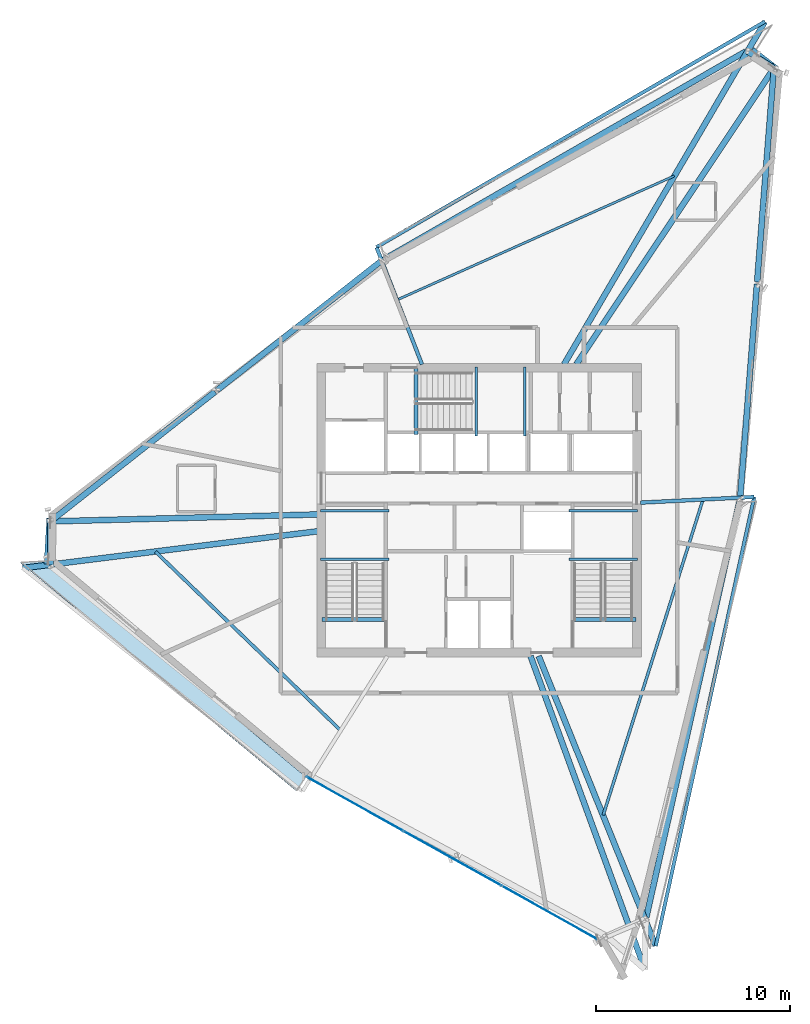
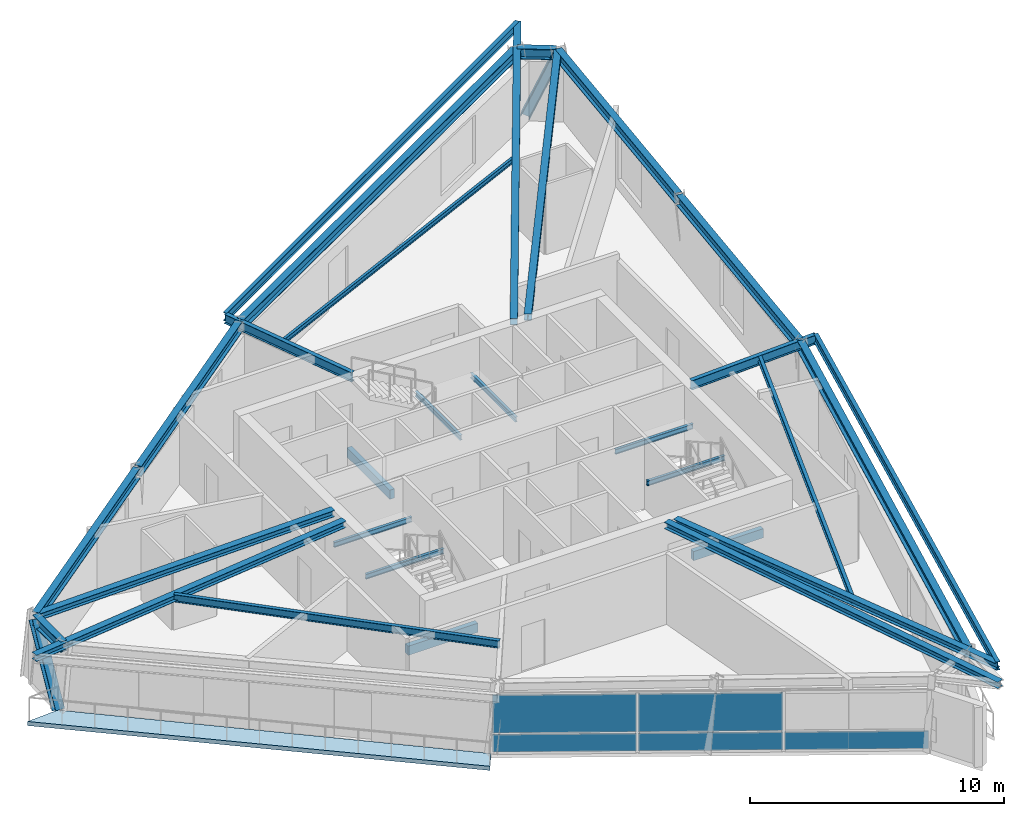
# One storey, part 4 of 13: 30 beams, 5 plates, 2 members, 1 slab, 1 element without a shape of its own.
"""IFC4 building model written with IfcOpenShell, lengths in metres."""

from ifc_helpers import new_model, si_unit, direction, frame, origin, origin_2d, place, context, subcontext, project, spatial, polyline, rectangle, i_section, outline, extrude, source, transform, mapped, material, layer, layer_set, material_profile, profile_set, type_object, element, aggregate, save


model = new_model("IFC4")

# Units and contexts
model_context = context("Model", 3, precision=1e-05, world=origin(), true_north=direction((0.0, 1.0)))
body_context = subcontext(model_context, "Body", "Model", "MODEL_VIEW")
ifc_project = project(units=[si_unit("LENGTHUNIT", "METRE"), si_unit("AREAUNIT", "SQUARE_METRE"), si_unit("VOLUMEUNIT", "CUBIC_METRE"), si_unit("PLANEANGLEUNIT", "RADIAN"), si_unit("MASSUNIT", "GRAM", prefix="KILO")], contexts=[model_context])

# Site, building, storey
site_placement = place(None, origin())
site = spatial("IfcSite", under=ifc_project, at=site_placement, CompositionType="ELEMENT")
building_placement = place(site_placement, origin())
building = spatial("IfcBuilding", under=site, at=building_placement, Name="Olszyna Solenne Hotel", CompositionType="ELEMENT")
storey_placement = place(building_placement, frame((0.0, 0.0, 266.89990234375)))
storey = spatial("IfcBuildingStorey", under=building, at=storey_placement, Name="L71", CompositionType="ELEMENT", Elevation=266.89990234375)

# Beams
ifc_material_1 = material(Name="Steel S355J2", Category="steel")
ifc_material_profile_1 = material_profile(ifc_material_1, i_section(OverallWidth=0.300048828125, OverallDepth=0.5, WebThickness=0.014404296875, FlangeThickness=0.028076171875, at=origin_2d()), Name="HEB 500", Category="load-bearing")
ifc_profile_set_1 = profile_set([ifc_material_profile_1], Name="Steel S355J2")
beam_type_1 = type_object("IfcBeamType", Name="BM-S3", PredefinedType="BEAM", material=ifc_profile_set_1)
shared_shape_1 = source(origin(), body_context, "Body", "SweptSolid", [
    extrude(i_section(OverallWidth=0.300048828125, OverallDepth=0.5, WebThickness=0.014404296875, FlangeThickness=0.028076171875, at=origin_2d()), origin(), (0.0, 0.0, 1.0), 1.537109375),
])
beam_1_placement = place(storey_placement, frame((53.11962890625, 49.382080078125, 3.130126953125), z_axis=(-0.845715263121, 0.533634419547, 0.0), x_axis=(-0.533634419547, -0.845715263121, 0.0)))
element("IfcBeam", 1, at=beam_1_placement, inside=storey, type_object=beam_type_1, Name="Perimeter spandrel beam BM-S3 B-L71-2082", PredefinedType="BEAM", context=body_context, shape_type="MappedRepresentation", body=[
    mapped(shared_shape_1, transform((0.0, 0.0, 0.0), x_axis=(1.0, 0.0, 0.0), y_axis=(0.0, 1.0, 0.0), z_axis=(0.0, 0.0, 1.0), scale=1.0)),
])
shared_shape_2 = source(origin(), body_context, "Body", "SweptSolid", [
    extrude(i_section(OverallWidth=0.300048828125, OverallDepth=0.5, WebThickness=0.014404296875, FlangeThickness=0.028076171875, at=origin_2d()), origin(), (0.0, 0.0, 1.0), 21.5546875),
])
beam_2_placement = place(storey_placement, frame((51.716796875, 50.204345703125, 3.130126953125), z_axis=(-0.866971025948, -0.498358545794, 0.0), x_axis=(0.498358545794, -0.866971025948, 0.0)))
element("IfcBeam", 2, at=beam_2_placement, inside=storey, type_object=beam_type_1, Name="Perimeter spandrel beam BM-S3 B-L71-2083", PredefinedType="BEAM", context=body_context, shape_type="MappedRepresentation", body=[
    mapped(shared_shape_2, transform((0.0, 0.0, 0.0), x_axis=(1.0, 0.0, 0.0), y_axis=(0.0, 1.0, 0.0), z_axis=(0.0, 0.0, 1.0), scale=1.0)),
])
shared_shape_3 = source(origin(), body_context, "Body", "SweptSolid", [
    extrude(i_section(OverallWidth=0.300048828125, OverallDepth=0.5, WebThickness=0.014404296875, FlangeThickness=0.028076171875, at=origin_2d()), origin(), (0.0, 0.0, 1.0), 10.71728515625),
])
for number, where, z_axis, x_axis, name in (
    (3, (32.930419921875, 39.3955078125, 3.130126953125), (-0.785690290892, -0.618620050434, 0.0), (0.618620050434, -0.785690290892, 0.0), "Perimeter spandrel beam BM-S3 B-L71-2084"),
    (4, (24.415771484375, 32.69140625, 3.130126953125), (-0.785679218731, -0.618634112586, 0.0), (0.618634112586, -0.785679218731, 0.0), "Perimeter spandrel beam BM-S3 B-L71-2085"),
):
    element("IfcBeam", number, at=place(storey_placement, frame(where, z_axis=z_axis, x_axis=x_axis)), inside=storey, type_object=beam_type_1, Name=name, PredefinedType="BEAM", context=body_context, shape_type="MappedRepresentation", body=[
        mapped(shared_shape_3, transform((0.0, 0.0, 0.0), x_axis=(1.0, 0.0, 0.0), y_axis=(0.0, 1.0, 0.0), z_axis=(0.0, 0.0, 1.0), scale=1.0)),
    ])
shared_shape_4 = source(origin(), body_context, "Body", "SweptSolid", [
    extrude(i_section(OverallWidth=0.300048828125, OverallDepth=0.5, WebThickness=0.014404296875, FlangeThickness=0.028076171875, at=origin_2d()), origin(), (0.0, 0.0, 1.0), 2.177001953125),
])
beam_3_placement = place(storey_placement, frame((15.948486328125, 25.96435546875, 3.130126953125), z_axis=(0.003476484543, -0.999993957009, 0.0), x_axis=(0.999993957009, 0.003476484543, 0.0)))
element("IfcBeam", 5, at=beam_3_placement, inside=storey, type_object=beam_type_1, Name="Perimeter spandrel beam BM-S3 B-L71-2086", PredefinedType="BEAM", context=body_context, shape_type="MappedRepresentation", body=[
    mapped(shared_shape_4, transform((0.0, 0.0, 0.0), x_axis=(1.0, 0.0, 0.0), y_axis=(0.0, 1.0, 0.0), z_axis=(0.0, 0.0, 1.0), scale=1.0)),
])
shared_shape_5 = source(origin(), body_context, "Body", "SweptSolid", [
    extrude(i_section(OverallWidth=0.300048828125, OverallDepth=0.5, WebThickness=0.014404296875, FlangeThickness=0.028076171875, at=origin_2d()), origin(), (0.0, 0.0, 1.0), 22.066650390625),
])
beam_4_placement = place(storey_placement, frame((46.6025390625, 5.638916015625, 3.130126953125), z_axis=(0.21843318942, 0.975851905649, 0.0), x_axis=(-0.975851905649, 0.21843318942, 0.0)))
element("IfcBeam", 6, at=beam_4_placement, inside=storey, type_object=beam_type_1, Name="Perimeter spandrel beam BM-S3 B-L71-2091", PredefinedType="BEAM", context=body_context, shape_type="MappedRepresentation", body=[
    mapped(shared_shape_5, transform((0.0, 0.0, 0.0), x_axis=(1.0, 0.0, 0.0), y_axis=(0.0, 1.0, 0.0), z_axis=(0.0, 0.0, 1.0), scale=1.0)),
])
shared_shape_6 = source(origin(), body_context, "Body", "SweptSolid", [
    extrude(i_section(OverallWidth=0.300048828125, OverallDepth=0.5, WebThickness=0.014404296875, FlangeThickness=0.028076171875, at=origin_2d()), origin(), (0.0, 0.0, 1.0), 10.973388671875),
])
beam_5_placement = place(storey_placement, frame((51.440185546875, 27.291015625, 3.130126953125), z_axis=(0.078203819128, 0.996937391552, 0.0), x_axis=(-0.996937391552, 0.078203819128, 0.0)))
element("IfcBeam", 7, at=beam_5_placement, inside=storey, type_object=beam_type_1, Name="Perimeter spandrel beam BM-S3 B-L71-2092", PredefinedType="BEAM", context=body_context, shape_type="MappedRepresentation", body=[
    mapped(shared_shape_6, transform((0.0, 0.0, 0.0), x_axis=(1.0, 0.0, 0.0), y_axis=(0.0, 1.0, 0.0), z_axis=(0.0, 0.0, 1.0), scale=1.0)),
])
shared_shape_7 = source(origin(), body_context, "Body", "SweptSolid", [
    extrude(i_section(OverallWidth=0.300048828125, OverallDepth=0.5, WebThickness=0.014404296875, FlangeThickness=0.028076171875, at=origin_2d()), origin(), (0.0, 0.0, 1.0), 10.9736328125),
])
beam_6_placement = place(storey_placement, frame((52.3076171875, 38.350341796875, 3.130126953125), z_axis=(0.07820208457, 0.996937527616, 0.0), x_axis=(-0.996937527616, 0.07820208457, 0.0)))
element("IfcBeam", 8, at=beam_6_placement, inside=storey, type_object=beam_type_1, Name="Perimeter spandrel beam BM-S3 B-L71-2093", PredefinedType="BEAM", context=body_context, shape_type="MappedRepresentation", body=[
    mapped(shared_shape_7, transform((0.0, 0.0, 0.0), x_axis=(1.0, 0.0, 0.0), y_axis=(0.0, 1.0, 0.0), z_axis=(0.0, 0.0, 1.0), scale=1.0)),
])
ifc_material_profile_2 = material_profile(ifc_material_1, i_section(OverallWidth=0.300048828125, OverallDepth=0.31005859375, WebThickness=0.009033203125, FlangeThickness=0.015380859375, at=origin_2d()), Name="HEA 320", Category="load-bearing")
ifc_profile_set_2 = profile_set([ifc_material_profile_2], Name="Steel S355J2")
beam_type_2 = type_object("IfcBeamType", Name="BM-G3", PredefinedType="BEAM", material=ifc_profile_set_2)
shared_shape_8 = source(origin(), body_context, "Body", "SweptSolid", [
    extrude(i_section(OverallWidth=0.300048828125, OverallDepth=0.31005859375, WebThickness=0.009033203125, FlangeThickness=0.015380859375, at=origin_2d()), origin(), (0.0, 0.0, 1.0), 18.259521484375),
])
beam_7_placement = place(storey_placement, frame((53.13720703125, 49.300048828125, 3.22509765625), z_axis=(-0.554798928925, -0.831984464076, 0.0), x_axis=(0.831984464076, -0.554798928925, 0.0)))
element("IfcBeam", 9, at=beam_7_placement, inside=storey, type_object=beam_type_2, Name="Radial floor girder BM-G3 B-L71-2094", PredefinedType="BEAM", context=body_context, shape_type="MappedRepresentation", body=[
    mapped(shared_shape_8, transform((0.0, 0.0, 0.0), x_axis=(1.0, 0.0, 0.0), y_axis=(0.0, 1.0, 0.0), z_axis=(0.0, 0.0, 1.0), scale=1.0)),
])
shared_shape_9 = source(origin(), body_context, "Body", "SweptSolid", [
    extrude(i_section(OverallWidth=0.300048828125, OverallDepth=0.31005859375, WebThickness=0.009033203125, FlangeThickness=0.015380859375, at=origin_2d()), origin(), (0.0, 0.0, 1.0), 20.425048828125),
])
beam_8_placement = place(storey_placement, frame((52.701904296875, 51.727783203125, 3.22509765625), z_axis=(-0.505683301798, -0.862719188544, 0.0), x_axis=(0.862719188544, -0.505683301798, 0.0)))
element("IfcBeam", 10, at=beam_8_placement, inside=storey, type_object=beam_type_2, Name="Radial floor girder BM-G3 B-L71-2095", PredefinedType="BEAM", context=body_context, shape_type="MappedRepresentation", body=[
    mapped(shared_shape_9, transform((0.0, 0.0, 0.0), x_axis=(1.0, 0.0, 0.0), y_axis=(0.0, 1.0, 0.0), z_axis=(0.0, 0.0, 1.0), scale=1.0)),
])
ifc_material_profile_3 = material_profile(ifc_material_1, i_section(OverallWidth=0.18994140625, OverallDepth=0.449951171875, WebThickness=0.009521484375, FlangeThickness=0.0146484375, at=origin_2d()), Name="IPE 450", Category="load-bearing")
ifc_profile_set_3 = profile_set([ifc_material_profile_3], Name="Steel S355J2")
beam_type_3 = type_object("IfcBeamType", Name="BM-F4", PredefinedType="BEAM", material=ifc_profile_set_3)
shared_shape_10 = source(origin(), body_context, "Body", "SweptSolid", [
    extrude(i_section(OverallWidth=0.18994140625, OverallDepth=0.449951171875, WebThickness=0.009521484375, FlangeThickness=0.0146484375, at=origin_2d()), origin(), (0.0, 0.0, 1.0), 6.44921875),
])
beam_9_placement = place(storey_placement, frame((32.732421875, 40.11669921875, 3.155029296875), z_axis=(0.361415694209, -0.932404791911, 0.0), x_axis=(0.932404791911, 0.361415694209, 0.0)))
element("IfcBeam", 11, at=beam_9_placement, inside=storey, type_object=beam_type_3, Name="Radial floor girder BM-F4 B-L71-2096", PredefinedType="BEAM", context=body_context, shape_type="MappedRepresentation", body=[
    mapped(shared_shape_10, transform((0.0, 0.0, 0.0), x_axis=(1.0, 0.0, 0.0), y_axis=(0.0, 1.0, 0.0), z_axis=(0.0, 0.0, 1.0), scale=1.0)),
])
shared_shape_11 = source(origin(), body_context, "Body", "SweptSolid", [
    extrude(i_section(OverallWidth=0.300048828125, OverallDepth=0.31005859375, WebThickness=0.009033203125, FlangeThickness=0.015380859375, at=origin_2d()), origin(), (0.0, 0.0, 1.0), 13.6962890625),
])
beam_10_placement = place(storey_placement, frame((16.00830078125, 26.02587890625, 3.22509765625), z_axis=(0.999659435984, 0.026096207526, 0.0), x_axis=(-0.026096207526, 0.999659435984, 0.0)))
element("IfcBeam", 12, at=beam_10_placement, inside=storey, type_object=beam_type_2, Name="Radial floor girder BM-G3 B-L71-2097", PredefinedType="BEAM", context=body_context, shape_type="MappedRepresentation", body=[
    mapped(shared_shape_11, transform((0.0, 0.0, 0.0), x_axis=(1.0, 0.0, 0.0), y_axis=(0.0, 1.0, 0.0), z_axis=(0.0, 0.0, 1.0), scale=1.0)),
])
shared_shape_12 = source(origin(), body_context, "Body", "SweptSolid", [
    extrude(i_section(OverallWidth=0.300048828125, OverallDepth=0.31005859375, WebThickness=0.009033203125, FlangeThickness=0.015380859375, at=origin_2d()), origin(), (0.0, 0.0, 1.0), 15.289306640625),
])
beam_11_placement = place(storey_placement, frame((14.528076171875, 23.62451171875, 3.22509765625), z_axis=(0.992299234533, 0.12386375235, 0.0), x_axis=(-0.12386375235, 0.992299234533, 0.0)))
element("IfcBeam", 13, at=beam_11_placement, inside=storey, type_object=beam_type_2, Name="Radial floor girder BM-G3 B-L71-2098", PredefinedType="BEAM", context=body_context, shape_type="MappedRepresentation", body=[
    mapped(shared_shape_12, transform((0.0, 0.0, 0.0), x_axis=(1.0, 0.0, 0.0), y_axis=(0.0, 1.0, 0.0), z_axis=(0.0, 0.0, 1.0), scale=1.0)),
])
shared_shape_13 = source(origin(), body_context, "Body", "SweptSolid", [
    extrude(i_section(OverallWidth=0.300048828125, OverallDepth=0.31005859375, WebThickness=0.009033203125, FlangeThickness=0.015380859375, at=origin_2d()), origin(), (0.0, 0.0, 1.0), 17.133544921875),
])
beam_12_placement = place(storey_placement, frame((46.523193359375, 3.002197265625, 3.22509765625), z_axis=(-0.342878902391, 0.939379613519, 0.0), x_axis=(-0.939379613519, -0.342878902391, 0.0)))
element("IfcBeam", 14, at=beam_12_placement, inside=storey, type_object=beam_type_2, Name="Radial floor girder BM-G3 B-L71-2100", PredefinedType="BEAM", context=body_context, shape_type="MappedRepresentation", body=[
    mapped(shared_shape_13, transform((0.0, 0.0, 0.0), x_axis=(1.0, 0.0, 0.0), y_axis=(0.0, 1.0, 0.0), z_axis=(0.0, 0.0, 1.0), scale=1.0)),
])
shared_shape_14 = source(origin(), body_context, "Body", "SweptSolid", [
    extrude(i_section(OverallWidth=0.300048828125, OverallDepth=0.31005859375, WebThickness=0.009033203125, FlangeThickness=0.015380859375, at=origin_2d()), origin(), (0.0, 0.0, 1.0), 16.072998046875),
])
beam_13_placement = place(storey_placement, frame((47.0869140625, 4.193359375, 3.22509765625), z_axis=(-0.374573048884, 0.927197406731, 0.0), x_axis=(-0.927197406731, -0.374573048884, 0.0)))
element("IfcBeam", 15, at=beam_13_placement, inside=storey, type_object=beam_type_2, Name="Radial floor girder BM-G3 B-L71-2101", PredefinedType="BEAM", context=body_context, shape_type="MappedRepresentation", body=[
    mapped(shared_shape_14, transform((0.0, 0.0, 0.0), x_axis=(1.0, 0.0, 0.0), y_axis=(0.0, 1.0, 0.0), z_axis=(0.0, 0.0, 1.0), scale=1.0)),
])
shared_shape_15 = source(origin(), body_context, "Body", "SweptSolid", [
    extrude(i_section(OverallWidth=0.18994140625, OverallDepth=0.449951171875, WebThickness=0.009521484375, FlangeThickness=0.0146484375, at=origin_2d()), origin(), (0.0, 0.0, 1.0), 5.846923828125),
])
beam_14_placement = place(storey_placement, frame((52.1396484375, 27.282958984375, 3.155029296875), z_axis=(-0.99874389028, -0.050106303288, 0.0), x_axis=(0.050106303288, -0.99874389028, 0.0)))
element("IfcBeam", 16, at=beam_14_placement, inside=storey, type_object=beam_type_3, Name="Radial floor girder BM-F4 B-L71-2102", PredefinedType="BEAM", context=body_context, shape_type="MappedRepresentation", body=[
    mapped(shared_shape_15, transform((0.0, 0.0, 0.0), x_axis=(1.0, 0.0, 0.0), y_axis=(0.0, 1.0, 0.0), z_axis=(0.0, 0.0, 1.0), scale=1.0)),
])
ifc_material_profile_4 = material_profile(ifc_material_1, i_section(OverallWidth=0.1201171875, OverallDepth=0.239990234375, WebThickness=0.006103515625, FlangeThickness=0.009765625, at=origin_2d()), Name="IPE 240", Category="load-bearing")
ifc_profile_set_4 = profile_set([ifc_material_profile_4], Name="Steel S355J2")
beam_type_4 = type_object("IfcBeamType", Name="JS-03", PredefinedType="JOIST", material=ifc_profile_set_4)
shared_shape_16 = source(origin(), body_context, "Body", "SweptSolid", [
    extrude(i_section(OverallWidth=0.1201171875, OverallDepth=0.239990234375, WebThickness=0.006103515625, FlangeThickness=0.009765625, at=origin_2d()), origin(), (0.0, 0.0, 1.0), 15.60498046875),
])
beam_15_placement = place(storey_placement, frame((48.041259765625, 43.799560546875, 3.260009765625), z_axis=(-0.912882084361, -0.408223345796, 0.0), x_axis=(0.408223345796, -0.912882084361, 0.0)))
element("IfcBeam", 17, at=beam_15_placement, inside=storey, type_object=beam_type_4, Name="Secondary composite floor joist JS-03 B-L71-2105", PredefinedType="JOIST", context=body_context, shape_type="MappedRepresentation", body=[
    mapped(shared_shape_16, transform((0.0, 0.0, 0.0), x_axis=(1.0, 0.0, 0.0), y_axis=(0.0, 1.0, 0.0), z_axis=(0.0, 0.0, 1.0), scale=1.0)),
])
ifc_material_profile_5 = material_profile(ifc_material_1, i_section(OverallWidth=0.169921875, OverallDepth=0.360107421875, WebThickness=0.008056640625, FlangeThickness=0.0126953125, at=origin_2d()), Name="IPE 360", Category="load-bearing")
ifc_profile_set_5 = profile_set([ifc_material_profile_5], Name="Steel S355J2")
beam_type_5 = type_object("IfcBeamType", Name="JS-01", PredefinedType="JOIST", material=ifc_profile_set_5)
shared_shape_17 = source(origin(), body_context, "Body", "SweptSolid", [
    extrude(i_section(OverallWidth=0.169921875, OverallDepth=0.360107421875, WebThickness=0.008056640625, FlangeThickness=0.0126953125, at=origin_2d()), origin(), (0.0, 0.0, 1.0), 13.21630859375),
])
beam_16_placement = place(storey_placement, frame((21.35888671875, 24.46142578125, 3.2001953125), z_axis=(0.719493124407, -0.694499563665, 0.0), x_axis=(0.694499563665, 0.719493124407, 0.0)))
element("IfcBeam", 18, at=beam_16_placement, inside=storey, type_object=beam_type_5, Name="Secondary composite floor joist JS-01 B-L71-2106", PredefinedType="JOIST", context=body_context, shape_type="MappedRepresentation", body=[
    mapped(shared_shape_17, transform((0.0, 0.0, 0.0), x_axis=(1.0, 0.0, 0.0), y_axis=(0.0, 1.0, 0.0), z_axis=(0.0, 0.0, 1.0), scale=1.0)),
])
ifc_material_profile_6 = material_profile(ifc_material_1, i_section(OverallWidth=0.14990234375, OverallDepth=0.300048828125, WebThickness=0.007080078125, FlangeThickness=0.0107421875, at=origin_2d()), Name="IPE 300", Category="load-bearing")
ifc_profile_set_6 = profile_set([ifc_material_profile_6], Name="Steel S355J2")
beam_type_6 = type_object("IfcBeamType", Name="JS-02", PredefinedType="JOIST", material=ifc_profile_set_6)
shared_shape_18 = source(origin(), body_context, "Body", "SweptSolid", [
    extrude(i_section(OverallWidth=0.14990234375, OverallDepth=0.300048828125, WebThickness=0.007080078125, FlangeThickness=0.0107421875, at=origin_2d()), origin(), (0.0, 0.0, 1.0), 17.015380859375),
])
beam_17_placement = place(storey_placement, frame((44.3876953125, 10.90869140625, 3.22998046875), z_axis=(0.301442423461, 0.953484381276, 0.0), x_axis=(-0.953484381276, 0.301442423461, 0.0)))
element("IfcBeam", 19, at=beam_17_placement, inside=storey, type_object=beam_type_6, Name="Secondary composite floor joist JS-02 B-L71-2107", PredefinedType="JOIST", context=body_context, shape_type="MappedRepresentation", body=[
    mapped(shared_shape_18, transform((0.0, 0.0, 0.0), x_axis=(1.0, 0.0, 0.0), y_axis=(0.0, 1.0, 0.0), z_axis=(0.0, 0.0, 1.0), scale=1.0)),
])
ifc_material_profile_7 = material_profile(ifc_material_1, i_section(OverallWidth=0.179931640625, OverallDepth=0.39990234375, WebThickness=0.008544921875, FlangeThickness=0.013427734375, at=origin_2d()), Name="IPE 400", Category="load-bearing")
ifc_profile_set_7 = profile_set([ifc_material_profile_7], Name="Steel S355J2")
beam_type_7 = type_object("IfcBeamType", Name="BM-F5", PredefinedType="BEAM", material=ifc_profile_set_7)
shared_shape_19 = source(origin(), body_context, "Body", "SweptSolid", [
    extrude(i_section(OverallWidth=0.179931640625, OverallDepth=0.39990234375, WebThickness=0.008544921875, FlangeThickness=0.013427734375, at=origin_2d()), origin(), (0.0, 0.0, 1.0), 23.114013671875),
])
beam_18_placement = place(storey_placement, frame((52.7119140625, 51.7451171875, 3.18017578125), z_axis=(-0.864702231542, -0.502284830317, 0.0), x_axis=(0.502284830317, -0.864702231542, 0.0)))
element("IfcBeam", 20, at=beam_18_placement, inside=storey, type_object=beam_type_7, Name="Loggia outer edge beam BM-F5 B-L71-2108", PredefinedType="BEAM", context=body_context, shape_type="MappedRepresentation", body=[
    mapped(shared_shape_19, transform((0.0, 0.0, 0.0), x_axis=(1.0, 0.0, 0.0), y_axis=(0.0, 1.0, 0.0), z_axis=(0.0, 0.0, 1.0), scale=1.0)),
])
shared_shape_20 = source(origin(), body_context, "Body", "SweptSolid", [
    extrude(i_section(OverallWidth=0.179931640625, OverallDepth=0.39990234375, WebThickness=0.008544921875, FlangeThickness=0.013427734375, at=origin_2d()), origin(), (0.0, 0.0, 1.0), 23.65771484375),
])
beam_19_placement = place(storey_placement, frame((47.09423828125, 4.1748046875, 3.18017578125), z_axis=(0.214112647197, 0.976808975343, 0.0), x_axis=(-0.976808975343, 0.214112647197, 0.0)))
element("IfcBeam", 21, at=beam_19_placement, inside=storey, type_object=beam_type_7, Name="Loggia outer edge beam BM-F5 B-L71-2110", PredefinedType="BEAM", context=body_context, shape_type="MappedRepresentation", body=[
    mapped(shared_shape_20, transform((0.0, 0.0, 0.0), x_axis=(1.0, 0.0, 0.0), y_axis=(0.0, 1.0, 0.0), z_axis=(0.0, 0.0, 1.0), scale=1.0)),
])

# Members
ifc_material_2 = material(Name="Steel S460M", Category="steel")
ifc_material_profile_8 = material_profile(ifc_material_2, i_section(OverallWidth=0.40087890625, OverallDepth=0.39892578125, WebThickness=0.02197265625, FlangeThickness=0.034423828125, at=origin_2d()), Name="HD 400x314", Category="load-bearing")
ifc_profile_set_8 = profile_set([ifc_material_profile_8], Name="Steel S460M")
member_type = type_object("IfcMemberType", Name="BR-T3", PredefinedType="BRACE", material=ifc_profile_set_8)
shared_shape_21 = source(origin(), body_context, "Body", "SweptSolid", [
    extrude(i_section(OverallWidth=0.40087890625, OverallDepth=0.39892578125, WebThickness=0.02197265625, FlangeThickness=0.034423828125, at=origin_2d()), origin(), (0.0, 0.0, 1.0), 3.35009765625),
])
member_1_placement = place(storey_placement, frame((52.158203125, 50.137451171875, 0.010009765625), z_axis=(0.302140149123, -0.235022185461, 0.923837595376), x_axis=(0.613980153506, 0.789321462461, 0.0)))
element("IfcMember", 22, at=member_1_placement, inside=storey, type_object=member_type, Name="Perimeter braced-tube diagonal BR-T3 BR-L71-1", PredefinedType="BRACE", context=body_context, shape_type="MappedRepresentation", body=[
    mapped(shared_shape_21, transform((0.0, 0.0, 0.0), x_axis=(1.0, 0.0, 0.0), y_axis=(0.0, 1.0, 0.0), z_axis=(0.0, 0.0, 1.0), scale=1.0)),
])
shared_shape_22 = source(origin(), body_context, "Body", "SweptSolid", [
    extrude(i_section(OverallWidth=0.40087890625, OverallDepth=0.39892578125, WebThickness=0.02197265625, FlangeThickness=0.034423828125, at=origin_2d()), origin(), (0.0, 0.0, 1.0), 3.703369140625),
])
member_2_placement = place(storey_placement, frame((15.831298828125, 23.994140625, 0.010009765625), z_axis=(0.031578035369, 0.548231611963, 0.835730176149), x_axis=(-0.998345247472, 0.057504494173, 0.0)))
element("IfcMember", 23, at=member_2_placement, inside=storey, type_object=member_type, Name="Perimeter braced-tube diagonal BR-T3 BR-L71-2", PredefinedType="BRACE", context=body_context, shape_type="MappedRepresentation", body=[
    mapped(shared_shape_22, transform((0.0, 0.0, 0.0), x_axis=(1.0, 0.0, 0.0), y_axis=(0.0, 1.0, 0.0), z_axis=(0.0, 0.0, 1.0), scale=1.0)),
])

# Beams
shared_shape_23 = source(origin(), body_context, "Body", "SweptSolid", [
    extrude(i_section(OverallWidth=0.1201171875, OverallDepth=0.239990234375, WebThickness=0.006103515625, FlangeThickness=0.009765625, at=origin_2d()), origin(), (0.0, 0.0, 1.0), 3.539794921875),
])
for number, where, z_axis, x_axis, name in (
    (24, (33.3798828125, 24.070068359375, 1.47509765625), (-1.0, 0.0, 0.0), (0.0, -1.0, 0.0), "Stair landing support beam JS-03 SLB-ST1-0147"),
    (25, (33.3798828125, 26.580078125, 1.47509765625), (-1.0, 0.0, 0.0), (0.0, -1.0, 0.0), "Stair landing support beam JS-03 SLB-ST1-0148"),
    (26, (46.159912109375, 24.070068359375, 1.47509765625), (-1.0, 0.0, 0.0), (0.0, -1.0, 0.0), "Stair landing support beam JS-03 SLB-ST2-0387"),
    (27, (46.159912109375, 26.580078125, 1.47509765625), (-1.0, 0.0, 0.0), (0.0, -1.0, 0.0), "Stair landing support beam JS-03 SLB-ST2-0388"),
):
    element("IfcBeam", number, at=place(storey_placement, frame(where, z_axis=z_axis, x_axis=x_axis)), inside=storey, type_object=beam_type_4, Name=name, PredefinedType="JOIST", context=body_context, shape_type="MappedRepresentation", body=[
        mapped(shared_shape_23, transform((0.0, 0.0, 0.0), x_axis=(1.0, 0.0, 0.0), y_axis=(0.0, 1.0, 0.0), z_axis=(0.0, 0.0, 1.0), scale=1.0)),
    ])
ifc_material_3 = material(Name="Concrete C50/60", Category="concrete")
ifc_material_profile_9 = material_profile(ifc_material_3, rectangle(XDim=0.219970703125, YDim=0.43994140625, at=origin_2d()), Name="RC 220x440", Category="load-bearing")
ifc_profile_set_9 = profile_set([ifc_material_profile_9], Name="Concrete C50/60")
beam_type_8 = type_object("IfcBeamType", Name="BM-ST1", PredefinedType="BEAM", material=ifc_profile_set_9)
shared_shape_24 = source(origin(), body_context, "Body", "SweptSolid", [
    extrude(rectangle(XDim=0.219970703125, YDim=0.43994140625, at=origin_2d()), origin(), (0.0, 0.0, 1.0), 3.18017578125),
])
for number, where, z_axis, x_axis, name in (
    (28, (33.10009765625, 20.97998046875, -0.204833984375), (-1.0, 0.0, 0.0), (0.0, -1.0, 0.0), "Concrete stair trimmer beam BM-ST1 SHB-ST1-0233"),
    (29, (46.080078125, 20.97998046875, -0.204833984375), (-1.0, 0.0, 0.0), (0.0, -1.0, 0.0), "Concrete stair trimmer beam BM-ST1 SHB-ST2-0473"),
):
    element("IfcBeam", number, at=place(storey_placement, frame(where, z_axis=z_axis, x_axis=x_axis)), inside=storey, type_object=beam_type_8, Name=name, PredefinedType="BEAM", context=body_context, shape_type="MappedRepresentation", body=[
        mapped(shared_shape_24, transform((0.0, 0.0, 0.0), x_axis=(1.0, 0.0, 0.0), y_axis=(0.0, 1.0, 0.0), z_axis=(0.0, 0.0, 1.0), scale=1.0)),
    ])
shared_shape_25 = source(origin(), body_context, "Body", "SweptSolid", [
    extrude(i_section(OverallWidth=0.1201171875, OverallDepth=0.239990234375, WebThickness=0.006103515625, FlangeThickness=0.009765625, at=origin_2d()), origin(), (0.0, 0.0, 1.0), 3.5400390625),
])
for number, where, z_axis, x_axis, name in (
    (30, (37.85009765625, 30.419921875, 1.47509765625), (0.0, 1.0, 0.0), (-1.0, 0.0, 0.0), "Stair landing support beam JS-03 SLB-ST3-0627"),
    (31, (40.360107421875, 30.419921875, 1.47509765625), (0.0, 1.0, 0.0), (-1.0, 0.0, 0.0), "Stair landing support beam JS-03 SLB-ST3-0628"),
):
    element("IfcBeam", number, at=place(storey_placement, frame(where, z_axis=z_axis, x_axis=x_axis)), inside=storey, type_object=beam_type_4, Name=name, PredefinedType="JOIST", context=body_context, shape_type="MappedRepresentation", body=[
        mapped(shared_shape_25, transform((0.0, 0.0, 0.0), x_axis=(1.0, 0.0, 0.0), y_axis=(0.0, 1.0, 0.0), z_axis=(0.0, 0.0, 1.0), scale=1.0)),
    ])
shared_shape_26 = source(origin(), body_context, "Body", "SweptSolid", [
    extrude(rectangle(XDim=0.219970703125, YDim=0.43994140625, at=origin_2d()), origin(), (0.0, 0.0, 1.0), 3.3798828125),
])
beam_20_placement = place(storey_placement, frame((34.760009765625, 30.5, -0.204833984375), z_axis=(0.0, 1.0, 0.0), x_axis=(-1.0, 0.0, 0.0)))
element("IfcBeam", 32, at=beam_20_placement, inside=storey, type_object=beam_type_8, Name="Concrete stair trimmer beam BM-ST1 SHB-ST3-0711", PredefinedType="BEAM", context=body_context, shape_type="MappedRepresentation", body=[
    mapped(shared_shape_26, transform((0.0, 0.0, 0.0), x_axis=(1.0, 0.0, 0.0), y_axis=(0.0, 1.0, 0.0), z_axis=(0.0, 0.0, 1.0), scale=1.0)),
])

# Slab
ifc_material_4 = material(Name="Precast concrete C45/55", Category="concrete")
ifc_layer = layer(ifc_material_4, 0.199951171875, Name="Precast concrete C45/55")
ifc_layer_set = layer_set([ifc_layer], Name="Precast concrete C45/55")
slab_type = type_object("IfcSlabType", Name="SL-LOG200", PredefinedType="FLOOR", material=ifc_layer_set)
slab_placement = place(storey_placement, frame((0.0, 0.0, -0.199951171875)))
element("IfcSlab", 33, at=slab_placement, inside=storey, type_object=slab_type, Name="Exterior loggia balcony slab SL-L71-LG2", PredefinedType="FLOOR", context=body_context, shape_type="SweptSolid", body=[
    extrude(outline(polyline([(29.077880859375, 12.88427734375), (29.077392578125, 12.884521484375), (29.076416015625, 12.88525390625), (15.821533203125, 23.982666015625), (15.820556640625, 23.983642578125), (15.819580078125, 23.98486328125), (15.818603515625, 23.986083984375), (15.81787109375, 23.9873046875), (15.8173828125, 23.988525390625), (15.81689453125, 23.989990234375), (15.81640625, 23.991455078125), (15.81640625, 23.992919921875), (15.816162109375, 23.993408203125), (14.3818359375, 23.91162109375), (28.6025390625, 12.14892578125), (29.077880859375, 12.88427734375)])), origin(), (0.0, 0.0, 1.0), 0.199951171875),
])

# Curtain wall, plates
ifc_material_5 = material(Name="Anodised bronze aluminium", Category="aluminium")
curtain_wall_type = type_object("IfcCurtainWallType", Name="CW-SYS-4", PredefinedType="NOTDEFINED", material=ifc_material_5)
curtain_wall_placement = place(storey_placement, origin())
curtain_wall = element("IfcCurtainWall", 34, at=curtain_wall_placement, inside=storey, type_object=curtain_wall_type, Name="Unitised curtain wall CW-SYS-4 CW-L71-01", PredefinedType="NOTDEFINED")
ifc_material_6 = material(Name="Terracotta cladding", Category="masonry")
plate_type_1 = type_object("IfcPlateType", Name="PN-SP1", PredefinedType="CURTAIN_PANEL", material=ifc_material_6)
shared_shape_27 = source(origin(), body_context, "Body", "SweptSolid", [
    extrude(rectangle(XDim=5.664794921875, YDim=0.035888671875, at=origin_2d()), origin(), (0.0, 0.0, 1.0), 0.8525390625),
])
plate_1_placement = place(storey_placement, frame((31.6162109375, 11.485107421875, 0.065185546875), z_axis=(0.0, 0.0, 1.0), x_axis=(0.873264906026, -0.487245732565, 0.0)))
plate_1 = element("IfcPlate", 35, at=plate_1_placement, type_object=plate_type_1, Name="Curtain-wall panel PN-SP1 CP-L71-01-01", PredefinedType="CURTAIN_PANEL", context=body_context, shape_type="MappedRepresentation", body=[
    mapped(shared_shape_27, transform((0.0, 0.0, 0.0), x_axis=(1.0, 0.0, 0.0), y_axis=(0.0, 1.0, 0.0), z_axis=(0.0, 0.0, 1.0), scale=1.0)),
])
plate_2_placement = place(storey_placement, frame((41.65185546875, 5.885498046875, 0.065185546875), z_axis=(0.0, 0.0, 1.0), x_axis=(0.873264906026, -0.487245732565, 0.0)))
plate_2 = element("IfcPlate", 36, at=plate_2_placement, type_object=plate_type_1, Name="Curtain-wall panel PN-SP1 CP-L71-01-05", PredefinedType="CURTAIN_PANEL", context=body_context, shape_type="MappedRepresentation", body=[
    mapped(shared_shape_27, transform((0.0, 0.0, 0.0), x_axis=(1.0, 0.0, 0.0), y_axis=(0.0, 1.0, 0.0), z_axis=(0.0, 0.0, 1.0), scale=1.0)),
])
ifc_material_7 = material(Name="Low-E triple glazing", Category="glass")
plate_type_2 = type_object("IfcPlateType", Name="PN-GL1", PredefinedType="CURTAIN_PANEL", material=ifc_material_7)
shared_shape_28 = source(origin(), body_context, "Body", "SweptSolid", [
    extrude(rectangle(XDim=5.664794921875, YDim=0.035888671875, at=origin_2d()), origin(), (0.0, 0.0, 1.0), 1.824462890625),
])
plate_3_placement = place(storey_placement, frame((31.6162109375, 11.485107421875, 0.982421875), z_axis=(0.0, 0.0, 1.0), x_axis=(0.873264906026, -0.487245732565, 0.0)))
plate_3 = element("IfcPlate", 37, at=plate_3_placement, type_object=plate_type_2, Name="Curtain-wall panel PN-GL1 CP-L71-01-02", PredefinedType="CURTAIN_PANEL", context=body_context, shape_type="MappedRepresentation", body=[
    mapped(shared_shape_28, transform((0.0, 0.0, 0.0), x_axis=(1.0, 0.0, 0.0), y_axis=(0.0, 1.0, 0.0), z_axis=(0.0, 0.0, 1.0), scale=1.0)),
])
shared_shape_29 = source(origin(), body_context, "Body", "SweptSolid", [
    extrude(rectangle(XDim=5.697265625, YDim=0.035888671875, at=origin_2d()), origin(), (0.0, 0.0, 1.0), 0.8525390625),
])
plate_4_placement = place(storey_placement, frame((36.634033203125, 8.685302734375, 0.065185546875), z_axis=(0.0, 0.0, 1.0), x_axis=(0.873264906026, -0.487245732565, 0.0)))
plate_4 = element("IfcPlate", 38, at=plate_4_placement, type_object=plate_type_1, Name="Curtain-wall panel PN-SP1 CP-L71-01-03", PredefinedType="CURTAIN_PANEL", context=body_context, shape_type="MappedRepresentation", body=[
    mapped(shared_shape_29, transform((0.0, 0.0, 0.0), x_axis=(1.0, 0.0, 0.0), y_axis=(0.0, 1.0, 0.0), z_axis=(0.0, 0.0, 1.0), scale=1.0)),
])
shared_shape_30 = source(origin(), body_context, "Body", "SweptSolid", [
    extrude(rectangle(XDim=5.697265625, YDim=0.035888671875, at=origin_2d()), origin(), (0.0, 0.0, 1.0), 1.824462890625),
])
plate_5_placement = place(storey_placement, frame((36.634033203125, 8.685302734375, 0.982421875), z_axis=(0.0, 0.0, 1.0), x_axis=(0.873264906026, -0.487245732565, 0.0)))
plate_5 = element("IfcPlate", 39, at=plate_5_placement, type_object=plate_type_2, Name="Curtain-wall panel PN-GL1 CP-L71-01-04", PredefinedType="CURTAIN_PANEL", context=body_context, shape_type="MappedRepresentation", body=[
    mapped(shared_shape_30, transform((0.0, 0.0, 0.0), x_axis=(1.0, 0.0, 0.0), y_axis=(0.0, 1.0, 0.0), z_axis=(0.0, 0.0, 1.0), scale=1.0)),
])
aggregate(curtain_wall, [plate_1, plate_3, plate_4, plate_5, plate_2])

save(model, "model.ifc")
